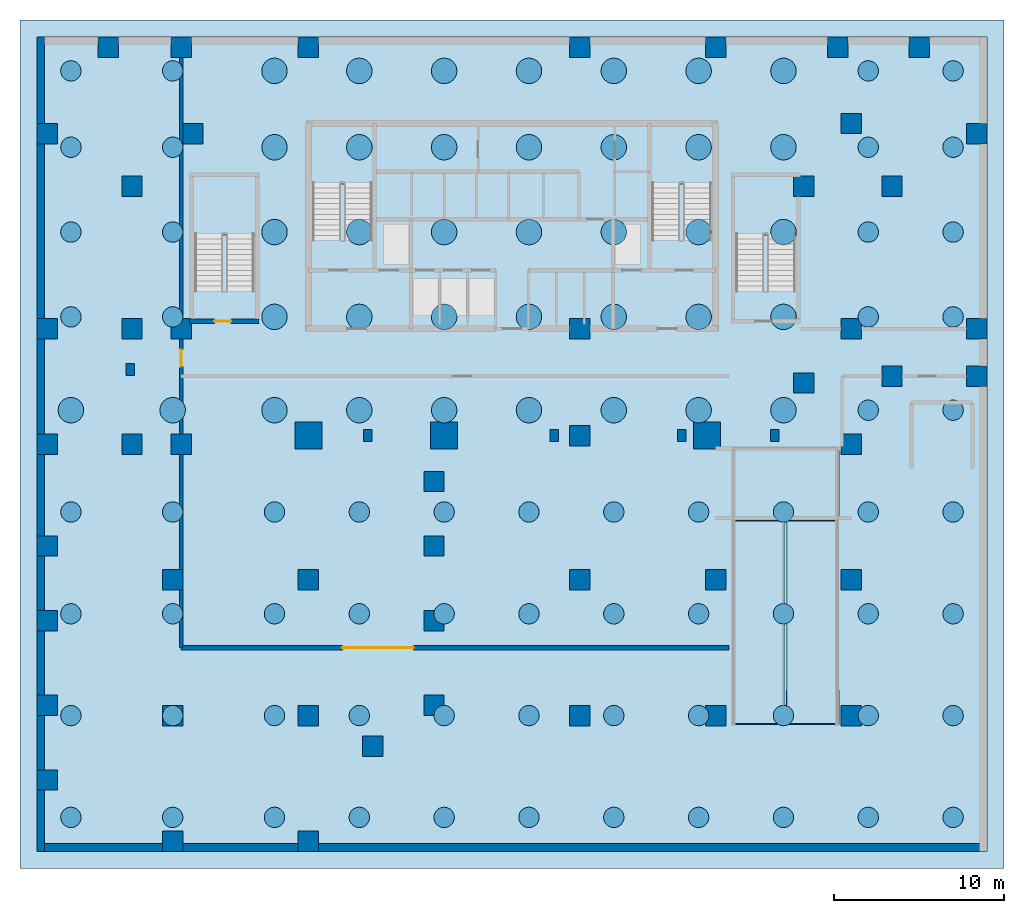
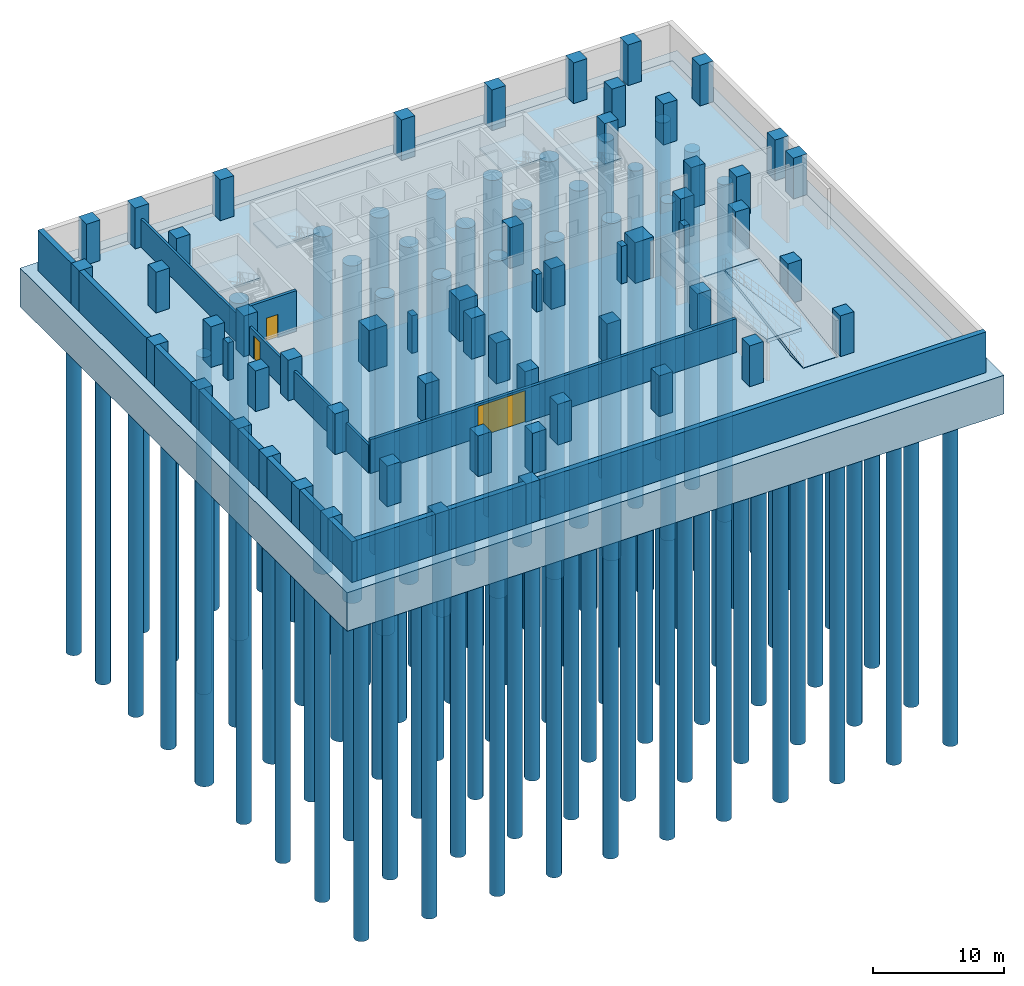
# One storey, part 1 of 6: 99 piles, 57 columns, 8 slabs, 5 walls, 3 doors, 1 footing, 3 openings, 4 elements without a shape of their own.
"""IFC4 building model written with IfcOpenShell, lengths in metres."""

from ifc_helpers import new_model, si_unit, direction, frame, frame_2d, origin, origin_2d, place, context, subcontext, project, spatial, polyline, rectangle, circle, outline, extrude, material, layer, layer_set, material_profile, profile_set, type_object, element, fill, aggregate, save


model = new_model("IFC4")

# Units and contexts
model_context = context("Model", 3, precision=1e-05, world=origin(), true_north=direction((0.0, 1.0)))
body_context = subcontext(model_context, "Body", "Model", "MODEL_VIEW")
ifc_project = project(units=[si_unit("LENGTHUNIT", "METRE"), si_unit("AREAUNIT", "SQUARE_METRE"), si_unit("VOLUMEUNIT", "CUBIC_METRE"), si_unit("PLANEANGLEUNIT", "RADIAN"), si_unit("MASSUNIT", "GRAM", prefix="KILO")], contexts=[model_context])

# Site, building, storey
site_placement = place(None, origin())
site = spatial("IfcSite", under=ifc_project, at=site_placement, CompositionType="ELEMENT")
building_placement = place(site_placement, origin())
building = spatial("IfcBuilding", under=site, at=building_placement, Name="Catumbela Crestline Tower", CompositionType="ELEMENT")
storey_placement = place(building_placement, frame((0.0, 0.0, -13.2)))
storey = spatial("IfcBuildingStorey", under=building, at=storey_placement, Name="B03", CompositionType="ELEMENT", Elevation=-13.2)

# Footing
ifc_material_1 = material(Name="Concrete C50/60", Category="concrete")
ifc_layer_1 = layer(ifc_material_1, 3.6, Name="Concrete C50/60")
ifc_layer_set_1 = layer_set([ifc_layer_1], Name="Concrete C50/60")
footing_type = type_object("IfcFootingType", Name="FT-R1", PredefinedType="CAISSON_FOUNDATION", material=ifc_layer_set_1)
footing_placement = place(storey_placement, frame((0.0, 0.0, -3.6)))
element("IfcFooting", 1, at=footing_placement, inside=storey, type_object=footing_type, Name="Main Tower Piled Foundation Raft FT-R1", PredefinedType="CAISSON_FOUNDATION", context=body_context, shape_type="SweptSolid", body=[
    extrude(outline(polyline([(-1.0, -1.0), (57.0, -1.0), (57.0, 49.0), (-1.0, 49.0), (-1.0, -1.0)])), origin(), (0.0, 0.0, 1.0), 3.6),
])

# Piles
ifc_material_2 = material(Name="Concrete C40/50", Category="concrete")
ifc_material_profile_1 = material_profile(ifc_material_2, circle(Radius=0.6, at=origin_2d()), Name="PILE D1200")
ifc_profile_set_1 = profile_set([ifc_material_profile_1], Name="Concrete C40/50")
pile_type_1 = type_object("IfcPileType", Name="PL-1200", PredefinedType="BORED", material=ifc_profile_set_1)
for number, where, z_axis, x_axis, name in (
    (2, (2.0, 2.0, -3.5), (0.0, 0.0, -1.0), (1.0, 0.0, 0.0), "Bored Pile PILE-001"),
    (3, (2.0, 8.0, -3.5), (0.0, 0.0, -1.0), (1.0, 0.0, 0.0), "Bored Pile PILE-002"),
    (4, (2.0, 14.0, -3.5), (0.0, 0.0, -1.0), (1.0, 0.0, 0.0), "Bored Pile PILE-003"),
    (5, (2.0, 20.0, -3.5), (0.0, 0.0, -1.0), (1.0, 0.0, 0.0), "Bored Pile PILE-004"),
    (6, (2.0, 31.5, -3.5), (0.0, 0.0, -1.0), (1.0, 0.0, 0.0), "Bored Pile PILE-006"),
    (7, (2.0, 36.5, -3.5), (0.0, 0.0, -1.0), (1.0, 0.0, 0.0), "Bored Pile PILE-007"),
    (8, (2.0, 41.5, -3.5), (0.0, 0.0, -1.0), (1.0, 0.0, 0.0), "Bored Pile PILE-008"),
    (9, (2.0, 46.0, -3.5), (0.0, 0.0, -1.0), (1.0, 0.0, 0.0), "Bored Pile PILE-009"),
    (10, (8.0, 2.0, -3.5), (0.0, 0.0, -1.0), (1.0, 0.0, 0.0), "Bored Pile PILE-010"),
    (11, (8.0, 8.0, -3.5), (0.0, 0.0, -1.0), (1.0, 0.0, 0.0), "Bored Pile PILE-011"),
    (12, (8.0, 14.0, -3.5), (0.0, 0.0, -1.0), (1.0, 0.0, 0.0), "Bored Pile PILE-012"),
    (13, (8.0, 20.0, -3.5), (0.0, 0.0, -1.0), (1.0, 0.0, 0.0), "Bored Pile PILE-013"),
    (14, (8.0, 31.5, -3.5), (0.0, 0.0, -1.0), (1.0, 0.0, 0.0), "Bored Pile PILE-015"),
    (15, (8.0, 36.5, -3.5), (0.0, 0.0, -1.0), (1.0, 0.0, 0.0), "Bored Pile PILE-016"),
    (16, (8.0, 41.5, -3.5), (0.0, 0.0, -1.0), (1.0, 0.0, 0.0), "Bored Pile PILE-017"),
    (17, (8.0, 46.0, -3.5), (0.0, 0.0, -1.0), (1.0, 0.0, 0.0), "Bored Pile PILE-018"),
    (18, (14.0, 2.0, -3.5), (0.0, 0.0, -1.0), (1.0, 0.0, 0.0), "Bored Pile PILE-019"),
    (19, (14.0, 8.0, -3.5), (0.0, 0.0, -1.0), (1.0, 0.0, 0.0), "Bored Pile PILE-020"),
    (20, (14.0, 14.0, -3.5), (0.0, 0.0, -1.0), (1.0, 0.0, 0.0), "Bored Pile PILE-021"),
    (21, (14.0, 20.0, -3.5), (0.0, 0.0, -1.0), (1.0, 0.0, 0.0), "Bored Pile PILE-022"),
    (22, (19.0, 2.0, -3.5), (0.0, 0.0, -1.0), (1.0, 0.0, 0.0), "Bored Pile PILE-028"),
    (23, (19.0, 8.0, -3.5), (0.0, 0.0, -1.0), (1.0, 0.0, 0.0), "Bored Pile PILE-029"),
    (24, (19.0, 14.0, -3.5), (0.0, 0.0, -1.0), (1.0, 0.0, 0.0), "Bored Pile PILE-030"),
    (25, (19.0, 20.0, -3.5), (0.0, 0.0, -1.0), (1.0, 0.0, 0.0), "Bored Pile PILE-031"),
    (26, (24.0, 2.0, -3.5), (0.0, 0.0, -1.0), (1.0, 0.0, 0.0), "Bored Pile PILE-037"),
    (27, (24.0, 8.0, -3.5), (0.0, 0.0, -1.0), (1.0, 0.0, 0.0), "Bored Pile PILE-038"),
    (28, (24.0, 14.0, -3.5), (0.0, 0.0, -1.0), (1.0, 0.0, 0.0), "Bored Pile PILE-039"),
    (29, (24.0, 20.0, -3.5), (0.0, 0.0, -1.0), (1.0, 0.0, 0.0), "Bored Pile PILE-040"),
    (30, (29.0, 2.0, -3.5), (0.0, 0.0, -1.0), (1.0, 0.0, 0.0), "Bored Pile PILE-046"),
    (31, (29.0, 8.0, -3.5), (0.0, 0.0, -1.0), (1.0, 0.0, 0.0), "Bored Pile PILE-047"),
    (32, (29.0, 14.0, -3.5), (0.0, 0.0, -1.0), (1.0, 0.0, 0.0), "Bored Pile PILE-048"),
    (33, (29.0, 20.0, -3.5), (0.0, 0.0, -1.0), (1.0, 0.0, 0.0), "Bored Pile PILE-049"),
    (34, (34.0, 2.0, -3.5), (0.0, 0.0, -1.0), (1.0, 0.0, 0.0), "Bored Pile PILE-055"),
    (35, (34.0, 8.0, -3.5), (0.0, 0.0, -1.0), (1.0, 0.0, 0.0), "Bored Pile PILE-056"),
    (36, (34.0, 14.0, -3.5), (0.0, 0.0, -1.0), (1.0, 0.0, 0.0), "Bored Pile PILE-057"),
    (37, (34.0, 20.0, -3.5), (0.0, 0.0, -1.0), (1.0, 0.0, 0.0), "Bored Pile PILE-058"),
    (38, (39.0, 2.0, -3.5), (0.0, 0.0, -1.0), (1.0, 0.0, 0.0), "Bored Pile PILE-064"),
    (39, (39.0, 8.0, -3.5), (0.0, 0.0, -1.0), (1.0, 0.0, 0.0), "Bored Pile PILE-065"),
    (40, (39.0, 14.0, -3.5), (0.0, 0.0, -1.0), (1.0, 0.0, 0.0), "Bored Pile PILE-066"),
    (41, (39.0, 20.0, -3.5), (0.0, 0.0, -1.0), (1.0, 0.0, 0.0), "Bored Pile PILE-067"),
    (42, (44.0, 2.0, -3.5), (0.0, 0.0, -1.0), (1.0, 0.0, 0.0), "Bored Pile PILE-073"),
    (43, (44.0, 8.0, -3.5), (0.0, 0.0, -1.0), (1.0, 0.0, 0.0), "Bored Pile PILE-074"),
    (44, (44.0, 14.0, -3.5), (0.0, 0.0, -1.0), (1.0, 0.0, 0.0), "Bored Pile PILE-075"),
    (45, (44.0, 20.0, -3.5), (0.0, 0.0, -1.0), (1.0, 0.0, 0.0), "Bored Pile PILE-076"),
    (46, (49.0, 2.0, -3.5), (0.0, 0.0, -1.0), (1.0, 0.0, 0.0), "Bored Pile PILE-082"),
    (47, (49.0, 8.0, -3.5), (0.0, 0.0, -1.0), (1.0, 0.0, 0.0), "Bored Pile PILE-083"),
    (48, (49.0, 14.0, -3.5), (0.0, 0.0, -1.0), (1.0, 0.0, 0.0), "Bored Pile PILE-084"),
    (49, (49.0, 20.0, -3.5), (0.0, 0.0, -1.0), (1.0, 0.0, 0.0), "Bored Pile PILE-085"),
    (50, (49.0, 26.0, -3.5), (0.0, 0.0, -1.0), (1.0, 0.0, 0.0), "Bored Pile PILE-086"),
    (51, (49.0, 31.5, -3.5), (0.0, 0.0, -1.0), (1.0, 0.0, 0.0), "Bored Pile PILE-087"),
    (52, (49.0, 36.5, -3.5), (0.0, 0.0, -1.0), (1.0, 0.0, 0.0), "Bored Pile PILE-088"),
    (53, (49.0, 41.5, -3.5), (0.0, 0.0, -1.0), (1.0, 0.0, 0.0), "Bored Pile PILE-089"),
    (54, (49.0, 46.0, -3.5), (0.0, 0.0, -1.0), (1.0, 0.0, 0.0), "Bored Pile PILE-090"),
    (55, (54.0, 2.0, -3.5), (0.0, 0.0, -1.0), (1.0, 0.0, 0.0), "Bored Pile PILE-091"),
    (56, (54.0, 8.0, -3.5), (0.0, 0.0, -1.0), (1.0, 0.0, 0.0), "Bored Pile PILE-092"),
    (57, (54.0, 14.0, -3.5), (0.0, 0.0, -1.0), (1.0, 0.0, 0.0), "Bored Pile PILE-093"),
    (58, (54.0, 20.0, -3.5), (0.0, 0.0, -1.0), (1.0, 0.0, 0.0), "Bored Pile PILE-094"),
    (59, (54.0, 26.0, -3.5), (0.0, 0.0, -1.0), (1.0, 0.0, 0.0), "Bored Pile PILE-095"),
    (60, (54.0, 31.5, -3.5), (0.0, 0.0, -1.0), (1.0, 0.0, 0.0), "Bored Pile PILE-096"),
    (61, (54.0, 36.5, -3.5), (0.0, 0.0, -1.0), (1.0, 0.0, 0.0), "Bored Pile PILE-097"),
    (62, (54.0, 41.5, -3.5), (0.0, 0.0, -1.0), (1.0, 0.0, 0.0), "Bored Pile PILE-098"),
    (63, (54.0, 46.0, -3.5), (0.0, 0.0, -1.0), (1.0, 0.0, 0.0), "Bored Pile PILE-099"),
):
    element("IfcPile", number, at=place(storey_placement, frame(where, z_axis=z_axis, x_axis=x_axis)), inside=storey, type_object=pile_type_1, Name=name, PredefinedType="BORED", context=body_context, shape_type="SweptSolid", body=[
        extrude(circle(Radius=0.6, at=origin_2d()), origin(), (0.0, 0.0, 1.0), 31.5),
    ])
ifc_material_profile_2 = material_profile(ifc_material_2, circle(Radius=0.75, at=origin_2d()), Name="PILE D1500")
ifc_profile_set_2 = profile_set([ifc_material_profile_2], Name="Concrete C40/50")
pile_type_2 = type_object("IfcPileType", Name="PL-1500", PredefinedType="BORED", material=ifc_profile_set_2)
for number, where, z_axis, x_axis, name in (
    (64, (2.0, 26.0, -3.5), (0.0, 0.0, -1.0), (1.0, 0.0, 0.0), "Bored Pile PILE-005"),
    (65, (8.0, 26.0, -3.5), (0.0, 0.0, -1.0), (1.0, 0.0, 0.0), "Bored Pile PILE-014"),
    (66, (14.0, 26.0, -3.5), (0.0, 0.0, -1.0), (1.0, 0.0, 0.0), "Bored Pile PILE-023"),
    (67, (14.0, 31.5, -3.5), (0.0, 0.0, -1.0), (1.0, 0.0, 0.0), "Bored Pile PILE-024"),
    (68, (14.0, 36.5, -3.5), (0.0, 0.0, -1.0), (1.0, 0.0, 0.0), "Bored Pile PILE-025"),
    (69, (14.0, 41.5, -3.5), (0.0, 0.0, -1.0), (1.0, 0.0, 0.0), "Bored Pile PILE-026"),
    (70, (14.0, 46.0, -3.5), (0.0, 0.0, -1.0), (1.0, 0.0, 0.0), "Bored Pile PILE-027"),
    (71, (19.0, 26.0, -3.5), (0.0, 0.0, -1.0), (1.0, 0.0, 0.0), "Bored Pile PILE-032"),
    (72, (19.0, 31.5, -3.5), (0.0, 0.0, -1.0), (1.0, 0.0, 0.0), "Bored Pile PILE-033"),
    (73, (19.0, 36.5, -3.5), (0.0, 0.0, -1.0), (1.0, 0.0, 0.0), "Bored Pile PILE-034"),
    (74, (19.0, 41.5, -3.5), (0.0, 0.0, -1.0), (1.0, 0.0, 0.0), "Bored Pile PILE-035"),
    (75, (19.0, 46.0, -3.5), (0.0, 0.0, -1.0), (1.0, 0.0, 0.0), "Bored Pile PILE-036"),
    (76, (24.0, 26.0, -3.5), (0.0, 0.0, -1.0), (1.0, 0.0, 0.0), "Bored Pile PILE-041"),
    (77, (24.0, 31.5, -3.5), (0.0, 0.0, -1.0), (1.0, 0.0, 0.0), "Bored Pile PILE-042"),
    (78, (24.0, 36.5, -3.5), (0.0, 0.0, -1.0), (1.0, 0.0, 0.0), "Bored Pile PILE-043"),
    (79, (24.0, 41.5, -3.5), (0.0, 0.0, -1.0), (1.0, 0.0, 0.0), "Bored Pile PILE-044"),
    (80, (24.0, 46.0, -3.5), (0.0, 0.0, -1.0), (1.0, 0.0, 0.0), "Bored Pile PILE-045"),
    (81, (29.0, 26.0, -3.5), (0.0, 0.0, -1.0), (1.0, 0.0, 0.0), "Bored Pile PILE-050"),
    (82, (29.0, 31.5, -3.5), (0.0, 0.0, -1.0), (1.0, 0.0, 0.0), "Bored Pile PILE-051"),
    (83, (29.0, 36.5, -3.5), (0.0, 0.0, -1.0), (1.0, 0.0, 0.0), "Bored Pile PILE-052"),
    (84, (29.0, 41.5, -3.5), (0.0, 0.0, -1.0), (1.0, 0.0, 0.0), "Bored Pile PILE-053"),
    (85, (29.0, 46.0, -3.5), (0.0, 0.0, -1.0), (1.0, 0.0, 0.0), "Bored Pile PILE-054"),
    (86, (34.0, 26.0, -3.5), (0.0, 0.0, -1.0), (1.0, 0.0, 0.0), "Bored Pile PILE-059"),
    (87, (34.0, 31.5, -3.5), (0.0, 0.0, -1.0), (1.0, 0.0, 0.0), "Bored Pile PILE-060"),
    (88, (34.0, 36.5, -3.5), (0.0, 0.0, -1.0), (1.0, 0.0, 0.0), "Bored Pile PILE-061"),
    (89, (34.0, 41.5, -3.5), (0.0, 0.0, -1.0), (1.0, 0.0, 0.0), "Bored Pile PILE-062"),
    (90, (34.0, 46.0, -3.5), (0.0, 0.0, -1.0), (1.0, 0.0, 0.0), "Bored Pile PILE-063"),
    (91, (39.0, 26.0, -3.5), (0.0, 0.0, -1.0), (1.0, 0.0, 0.0), "Bored Pile PILE-068"),
    (92, (39.0, 31.5, -3.5), (0.0, 0.0, -1.0), (1.0, 0.0, 0.0), "Bored Pile PILE-069"),
    (93, (39.0, 36.5, -3.5), (0.0, 0.0, -1.0), (1.0, 0.0, 0.0), "Bored Pile PILE-070"),
    (94, (39.0, 41.5, -3.5), (0.0, 0.0, -1.0), (1.0, 0.0, 0.0), "Bored Pile PILE-071"),
    (95, (39.0, 46.0, -3.5), (0.0, 0.0, -1.0), (1.0, 0.0, 0.0), "Bored Pile PILE-072"),
    (96, (44.0, 26.0, -3.5), (0.0, 0.0, -1.0), (1.0, 0.0, 0.0), "Bored Pile PILE-077"),
    (97, (44.0, 31.5, -3.5), (0.0, 0.0, -1.0), (1.0, 0.0, 0.0), "Bored Pile PILE-078"),
    (98, (44.0, 36.5, -3.5), (0.0, 0.0, -1.0), (1.0, 0.0, 0.0), "Bored Pile PILE-079"),
    (99, (44.0, 41.5, -3.5), (0.0, 0.0, -1.0), (1.0, 0.0, 0.0), "Bored Pile PILE-080"),
    (100, (44.0, 46.0, -3.5), (0.0, 0.0, -1.0), (1.0, 0.0, 0.0), "Bored Pile PILE-081"),
):
    element("IfcPile", number, at=place(storey_placement, frame(where, z_axis=z_axis, x_axis=x_axis)), inside=storey, type_object=pile_type_2, Name=name, PredefinedType="BORED", context=body_context, shape_type="SweptSolid", body=[
        extrude(circle(Radius=0.75, at=origin_2d()), origin(), (0.0, 0.0, 1.0), 31.5),
    ])

# Columns
ifc_material_profile_3 = material_profile(ifc_material_1, rectangle(XDim=0.5, YDim=0.7, at=origin_2d()), Name="RC 500x700")
ifc_profile_set_3 = profile_set([ifc_material_profile_3], Name="Concrete C50/60")
column_type_1 = type_object("IfcColumnType", Name="CP-500", PredefinedType="PILASTER", material=ifc_profile_set_3)
for number, where, z_axis, x_axis, name in (
    (101, (19.5, 24.5, 0.0), (0.0, 0.0, 1.0), (1.0, 0.0, 0.0), "B03 Galleria Architectural Pilaster 1"),
    (102, (30.5, 24.5, 0.0), (0.0, 0.0, 1.0), (1.0, 0.0, 0.0), "B03 Galleria Architectural Pilaster 2"),
    (103, (38.0, 24.5, 0.0), (0.0, 0.0, 1.0), (1.0, 0.0, 0.0), "B03 Galleria Architectural Pilaster 3"),
    (104, (43.5, 24.5, 0.0), (0.0, 0.0, 1.0), (1.0, 0.0, 0.0), "B03 Galleria Architectural Pilaster 4"),
    (105, (5.5, 28.4, 0.0), (0.0, 0.0, 1.0), (1.0, 0.0, 0.0), "B03 Galleria Architectural Pilaster 5"),
):
    element("IfcColumn", number, at=place(storey_placement, frame(where, z_axis=z_axis, x_axis=x_axis)), inside=storey, type_object=column_type_1, Name=name, PredefinedType="PILASTER", context=body_context, shape_type="SweptSolid", body=[
        extrude(rectangle(XDim=0.5, YDim=0.7, at=origin_2d()), origin(), (0.0, 0.0, 1.0), 3.5),
    ])
ifc_material_3 = material(Name="Concrete C60/75", Category="concrete")
ifc_material_profile_4 = material_profile(ifc_material_3, rectangle(XDim=1.2, YDim=1.2, at=origin_2d()), Name="RC 1200x1200")
ifc_profile_set_4 = profile_set([ifc_material_profile_4], Name="Concrete C60/75")
column_type_2 = type_object("IfcColumnType", Name="C-RC1200-C60", PredefinedType="COLUMN", material=ifc_profile_set_4)
for number, where, z_axis, x_axis, name in (
    (106, (8.5, 24.0, 0.0), (0.0, 0.0, 1.0), (1.0, 0.0, 0.0), "B03 Column C-08-24 (RC 1200x1200)"),
    (107, (32.0, 24.5, 0.0), (0.0, 0.0, 1.0), (1.0, 0.0, 0.0), "B03 Column C-32-24 (RC 1200x1200)"),
    (108, (5.6, 24.0, 0.0), (0.0, 0.0, 1.0), (1.0, 0.0, 0.0), "B03 Column C-05-24 (RC 1200x1200)"),
    (109, (5.6, 30.8, 0.0), (0.0, 0.0, 1.0), (1.0, 0.0, 0.0), "B03 Column C-05-31 (RC 1200x1200)"),
    (110, (5.6, 39.2, 0.0), (0.0, 0.0, 1.0), (1.0, 0.0, 0.0), "B03 Column C-05-43 (RC 1200x1200)"),
    (111, (8.5, 30.8, 0.0), (0.0, 0.0, 1.0), (1.0, 0.0, 0.0), "B03 Column C-08-31 (RC 1200x1200)"),
    (112, (9.2, 42.3, 0.0), (0.0, 0.0, 1.0), (1.0, 0.0, 0.0), "B03 Column C-08-43 (RC 1200x1200)"),
    (113, (45.2, 27.6, 0.0), (0.0, 0.0, 1.0), (1.0, 0.0, 0.0), "B03 Column C-46-24 (RC 1200x1200)"),
    (114, (45.2, 39.2, 0.0), (0.0, 0.0, 1.0), (1.0, 0.0, 0.0), "B03 Column C-46-43 (RC 1200x1200)"),
    (115, (0.6, 24.0, 0.0), (0.0, 0.0, 1.0), (1.0, 0.0, 0.0), "B03 Column C-00-24 (RC 1200x1200)"),
    (116, (0.6, 30.8, 0.0), (0.0, 0.0, 1.0), (1.0, 0.0, 0.0), "B03 Column C-00-31 (RC 1200x1200)"),
    (117, (0.6, 42.3, 0.0), (0.0, 0.0, 1.0), (1.0, 0.0, 0.0), "B03 Column C-00-43 (RC 1200x1200)"),
    (118, (4.2, 47.4, 0.0), (0.0, 0.0, 1.0), (1.0, 0.0, 0.0), "B03 Column C-00-48 (RC 1200x1200)"),
    (119, (8.5, 47.4, 0.0), (0.0, 0.0, 1.0), (1.0, 0.0, 0.0), "B03 Column C-08-48 (RC 1200x1200)"),
    (120, (16.0, 47.4, 0.0), (0.0, 0.0, 1.0), (1.0, 0.0, 0.0), "B03 Column C-16-48 (RC 1200x1200)"),
    (121, (32.0, 47.4, 0.0), (0.0, 0.0, 1.0), (1.0, 0.0, 0.0), "B03 Column C-32-48 (RC 1200x1200)"),
    (122, (40.0, 47.4, 0.0), (0.0, 0.0, 1.0), (1.0, 0.0, 0.0), "B03 Column C-40-48 (RC 1200x1200)"),
    (123, (47.2, 47.4, 0.0), (0.0, 0.0, 1.0), (1.0, 0.0, 0.0), "B03 Column C-48-48 (RC 1200x1200)"),
    (124, (50.4, 28.0, 0.0), (0.0, 0.0, 1.0), (1.0, 0.0, 0.0), "B03 Column C-51-24 (RC 1200x1200)"),
    (125, (50.4, 39.2, 0.0), (0.0, 0.0, 1.0), (1.0, 0.0, 0.0), "B03 Column C-51-43 (RC 1200x1200)"),
    (126, (55.4, 28.0, 0.0), (0.0, 0.0, 1.0), (1.0, 0.0, 0.0), "B03 Column C-56-24 (RC 1200x1200)"),
    (127, (55.4, 30.8, 0.0), (0.0, 0.0, 1.0), (1.0, 0.0, 0.0), "B03 Column C-56-31 (RC 1200x1200)"),
    (128, (55.4, 42.3, 0.0), (0.0, 0.0, 1.0), (1.0, 0.0, 0.0), "B03 Column C-56-43 (RC 1200x1200)"),
    (129, (52.0, 47.4, 0.0), (0.0, 0.0, 1.0), (1.0, 0.0, 0.0), "B03 Column C-56-48 (RC 1200x1200)"),
    (130, (0.6, 8.6, 0.0), (0.0, 0.0, 1.0), (1.0, 0.0, 0.0), "B03 Column C-00-05 (RC 1200x1200)"),
    (131, (0.6, 13.6, 0.0), (0.0, 0.0, 1.0), (1.0, 0.0, 0.0), "B03 Column C-00-10 (RC 1200x1200)"),
    (132, (0.6, 18.0, 0.0), (0.0, 0.0, 1.0), (1.0, 0.0, 0.0), "B03 Column C-00-16 (RC 1200x1200)"),
    (133, (0.6, 4.2, 0.0), (0.0, 0.0, 1.0), (1.0, 0.0, 0.0), "B03 Column C-00-03 (RC 1200x1200)"),
    (134, (8.0, 0.6, 0.0), (0.0, 0.0, 1.0), (1.0, 0.0, 0.0), "B03 Column C-08-00 (RC 1200x1200)"),
    (135, (16.0, 0.6, 0.0), (0.0, 0.0, 1.0), (1.0, 0.0, 0.0), "B03 Column C-16-00 (RC 1200x1200)"),
    (136, (19.8, 6.2, 0.0), (0.0, 0.0, 1.0), (1.0, 0.0, 0.0), "B03 Column C-24-05 (RC 1200x1200)"),
    (137, (23.4, 8.6, 0.0), (0.0, 0.0, 1.0), (1.0, 0.0, 0.0), "B03 Column C-23-08 (RC 1200x1200)"),
    (138, (23.4, 13.6, 0.0), (0.0, 0.0, 1.0), (1.0, 0.0, 0.0), "B03 Column C-24-10 (RC 1200x1200)"),
    (139, (23.4, 18.0, 0.0), (0.0, 0.0, 1.0), (1.0, 0.0, 0.0), "B03 Column C-24-16 (RC 1200x1200)"),
    (140, (23.4, 21.8, 0.0), (0.0, 0.0, 1.0), (1.0, 0.0, 0.0), "B03 Column C-24-21 (RC 1200x1200)"),
    (141, (8.0, 8.0, 0.0), (0.0, 0.0, 1.0), (1.0, 0.0, 0.0), "B03 Column C-08-08 (RC 1200x1200)"),
    (142, (16.0, 8.0, 0.0), (0.0, 0.0, 1.0), (1.0, 0.0, 0.0), "B03 Column C-16-08 (RC 1200x1200)"),
    (143, (32.0, 30.8, 0.0), (0.0, 0.0, 1.0), (1.0, 0.0, 0.0), "B03 Column C-32-31 (RC 1200x1200)"),
    (144, (32.0, 8.0, 0.0), (0.0, 0.0, 1.0), (1.0, 0.0, 0.0), "B03 Column C-32-08 (RC 1200x1200)"),
    (145, (40.0, 8.0, 0.0), (0.0, 0.0, 1.0), (1.0, 0.0, 0.0), "B03 Column C-40-08 (RC 1200x1200)"),
    (146, (48.0, 8.0, 0.0), (0.0, 0.0, 1.0), (1.0, 0.0, 0.0), "B03 Column C-48-08 (RC 1200x1200)"),
    (147, (8.0, 16.0, 0.0), (0.0, 0.0, 1.0), (1.0, 0.0, 0.0), "B03 Column C-08-16 (RC 1200x1200)"),
    (148, (16.0, 16.0, 0.0), (0.0, 0.0, 1.0), (1.0, 0.0, 0.0), "B03 Column C-16-16 (RC 1200x1200)"),
    (149, (32.0, 16.0, 0.0), (0.0, 0.0, 1.0), (1.0, 0.0, 0.0), "B03 Column C-32-16 (RC 1200x1200)"),
    (150, (40.0, 16.0, 0.0), (0.0, 0.0, 1.0), (1.0, 0.0, 0.0), "B03 Column C-40-16 (RC 1200x1200)"),
    (151, (48.0, 16.0, 0.0), (0.0, 0.0, 1.0), (1.0, 0.0, 0.0), "B03 Column C-48-16 (RC 1200x1200)"),
    (152, (48.0, 24.0, 0.0), (0.0, 0.0, 1.0), (1.0, 0.0, 0.0), "B03 Column C-48-24 (RC 1200x1200)"),
    (153, (48.0, 30.8, 0.0), (0.0, 0.0, 1.0), (1.0, 0.0, 0.0), "B03 Column C-48-31 (RC 1200x1200)"),
    (154, (48.0, 42.9, 0.0), (0.0, 0.0, 1.0), (1.0, 0.0, 0.0), "B03 Column C-48-43 (RC 1200x1200)"),
):
    element("IfcColumn", number, at=place(storey_placement, frame(where, z_axis=z_axis, x_axis=x_axis)), inside=storey, type_object=column_type_2, Name=name, PredefinedType="COLUMN", context=body_context, shape_type="SweptSolid", body=[
        extrude(rectangle(XDim=1.2, YDim=1.2, at=origin_2d()), origin(), (0.0, 0.0, 1.0), 3.8),
    ])
ifc_material_profile_5 = material_profile(ifc_material_3, rectangle(XDim=1.6, YDim=1.6, at=origin_2d()), Name="RC 1600x1600")
ifc_profile_set_5 = profile_set([ifc_material_profile_5], Name="Concrete C60/75")
column_type_3 = type_object("IfcColumnType", Name="C-RC1600-C60", PredefinedType="COLUMN", material=ifc_profile_set_5)
for number, where, z_axis, x_axis, name in (
    (155, (16.0, 24.5, 0.0), (0.0, 0.0, 1.0), (1.0, 0.0, 0.0), "B03 Column C-16-24 (RC 1600x1600)"),
    (156, (24.0, 24.5, 0.0), (0.0, 0.0, 1.0), (1.0, 0.0, 0.0), "B03 Column C-24-24 (RC 1600x1600)"),
    (157, (39.5, 24.5, 0.0), (0.0, 0.0, 1.0), (1.0, 0.0, 0.0), "B03 Column C-40-24 (RC 1600x1600)"),
):
    element("IfcColumn", number, at=place(storey_placement, frame(where, z_axis=z_axis, x_axis=x_axis)), inside=storey, type_object=column_type_3, Name=name, PredefinedType="COLUMN", context=body_context, shape_type="SweptSolid", body=[
        extrude(rectangle(XDim=1.6, YDim=1.6, at=origin_2d()), origin(), (0.0, 0.0, 1.0), 3.8),
    ])

# Slab
ifc_layer_2 = layer(ifc_material_1, 0.35, Name="Concrete C50/60")
ifc_layer_set_2 = layer_set([ifc_layer_2], Name="Concrete C50/60")
slab_type_1 = type_object("IfcSlabType", Name="SB-350", PredefinedType="BASESLAB", material=ifc_layer_set_2)
slab_1_placement = place(storey_placement, frame((0.0, 0.0, -0.35)))
element("IfcSlab", 158, at=slab_1_placement, inside=storey, type_object=slab_type_1, Name="B03 Structural Floor Slab", PredefinedType="BASESLAB", context=body_context, shape_type="SweptSolid", body=[
    extrude(outline(polyline([(0.0, 0.0), (56.0, 0.0), (56.0, 48.0), (0.0, 48.0), (0.0, 0.0)]), holes=[polyline([(44.18, 7.48), (47.26, 7.48), (47.26, 9.5), (44.18, 9.5), (44.18, 7.48)])]), origin(), (0.0, 0.0, 1.0), 0.35),
])

# Stair, slab
ifc_material_4 = material(Name="Concrete C45/55", Category="concrete")
stair_type = type_object("IfcStairType", Name="ST-DLG", PredefinedType="HALF_TURN_STAIR", material=ifc_material_4)
stair_1_placement = place(storey_placement, origin())
stair_1 = element("IfcStair", 159, at=stair_1_placement, inside=storey, type_object=stair_type, Name="B03 West Core Pressurised Exit Stair ST-01", PredefinedType="HALF_TURN_STAIR")
ifc_layer_3 = layer(ifc_material_4, 0.2, Name="Concrete C45/55")
ifc_layer_set_3 = layer_set([ifc_layer_3], Name="Concrete C45/55")
slab_type_2 = type_object("IfcSlabType", Name="SL-LND", PredefinedType="LANDING", material=ifc_layer_set_3)
slab_2_placement = place(storey_placement, frame((0.0, 0.0, 1.7)))
slab_2 = element("IfcSlab", 160, at=slab_2_placement, type_object=slab_type_2, Name="ST-01 landing 1", PredefinedType="LANDING", context=body_context, shape_type="SweptSolid", body=[
    extrude(outline(polyline([(19.91, 39.33), (19.91, 42.96), (16.09, 42.96), (16.09, 39.33), (19.91, 39.33)])), origin(), (0.0, 0.0, 1.0), 0.2),
])
aggregate(stair_1, [slab_2])

stair_2_placement = place(storey_placement, origin())
stair_2 = element("IfcStair", 161, at=stair_2_placement, inside=storey, type_object=stair_type, Name="B03 East Core Pressurised Exit Stair ST-02", PredefinedType="HALF_TURN_STAIR")
slab_3_placement = place(storey_placement, frame((0.0, 0.0, 1.7)))
slab_3 = element("IfcSlab", 162, at=slab_3_placement, type_object=slab_type_2, Name="ST-02 landing 1", PredefinedType="LANDING", context=body_context, shape_type="SweptSolid", body=[
    extrude(outline(polyline([(39.91, 39.33), (39.91, 42.96), (36.09, 42.96), (36.09, 39.33), (39.91, 39.33)])), origin(), (0.0, 0.0, 1.0), 0.2),
])
aggregate(stair_2, [slab_3])

stair_3_placement = place(storey_placement, origin())
stair_3 = element("IfcStair", 163, at=stair_3_placement, inside=storey, type_object=stair_type, Name="B03 South-West Podium Exit Stair ST-03", PredefinedType="HALF_TURN_STAIR")
slab_4_placement = place(storey_placement, frame((0.0, 0.0, 1.7)))
slab_4 = element("IfcSlab", 164, at=slab_4_placement, type_object=slab_type_2, Name="ST-03 landing 1", PredefinedType="LANDING", context=body_context, shape_type="SweptSolid", body=[
    extrude(outline(polyline([(12.96, 36.33), (12.96, 39.96), (9.14, 39.96), (9.14, 36.33), (12.96, 36.33)])), origin(), (0.0, 0.0, 1.0), 0.2),
])
aggregate(stair_3, [slab_4])

stair_4_placement = place(storey_placement, origin())
stair_4 = element("IfcStair", 165, at=stair_4_placement, inside=storey, type_object=stair_type, Name="B03 East Galleria Podium Exit Stair ST-04", PredefinedType="HALF_TURN_STAIR")
slab_5_placement = place(storey_placement, frame((0.0, 0.0, 1.7)))
slab_5 = element("IfcSlab", 166, at=slab_5_placement, type_object=slab_type_2, Name="ST-04 landing 1", PredefinedType="LANDING", context=body_context, shape_type="SweptSolid", body=[
    extrude(outline(polyline([(44.86, 36.33), (44.86, 39.96), (41.04, 39.96), (41.04, 36.33), (44.86, 36.33)])), origin(), (0.0, 0.0, 1.0), 0.2),
])
aggregate(stair_4, [slab_5])

# Slabs
ifc_layer_4 = layer(ifc_material_1, 0.35, Name="Concrete C50/60")
ifc_layer_set_4 = layer_set([ifc_layer_4], Name="Concrete C50/60")
slab_type_3 = type_object("IfcSlabType", Name="SL-RMP-350", PredefinedType="LANDING", material=ifc_layer_set_4)
slab_6_placement = place(storey_placement, frame((0.0, 0.0, 1.55)))
element("IfcSlab", 167, at=slab_6_placement, inside=storey, type_object=slab_type_3, Name="B03 Vehicle Ramp Mid-Landing Slab", PredefinedType="LANDING", context=body_context, shape_type="SweptSolid", body=[
    extrude(outline(polyline([(40.98, 19.52), (47.26, 19.52), (47.26, 23.84), (40.98, 23.84), (40.98, 19.52)])), origin(), (0.0, 0.0, 1.0), 0.35),
])
ifc_layer_5 = layer(ifc_material_2, 0.3, Name="Concrete C40/50")
ifc_layer_set_5 = layer_set([ifc_layer_5], Name="Concrete C40/50")
slab_type_4 = type_object("IfcSlabType", Name="SVR-300", PredefinedType="FLOOR", material=ifc_layer_set_5)
slab_7_placement = place(storey_placement, frame((44.2, 7.52, 0.0), z_axis=(0.0, -0.156895395456, 0.987615226131), x_axis=(1.0, 0.0, 0.0)))
element("IfcSlab", 168, at=slab_7_placement, inside=storey, type_object=slab_type_4, Name="B03 Sloped Structural Vehicle Ramp Lower Slab", PredefinedType="FLOOR", context=body_context, shape_type="SweptSolid", body=[
    extrude(outline(polyline([(0.0, 0.0), (3.039999999999999, 0.0), (3.039999999999999, 12.109979355886617), (0.0, 12.109979355886617), (0.0, 0.0)])), origin(), (0.0, 0.0, -1.0), 0.3),
])
slab_8_placement = place(storey_placement, frame((40.98, 7.52, 3.8), z_axis=(0.0, 0.156895395456, 0.987615226131), x_axis=(1.0, 0.0, 0.0)))
element("IfcSlab", 169, at=slab_8_placement, inside=storey, type_object=slab_type_4, Name="B03 Sloped Structural Vehicle Ramp Upper Slab", PredefinedType="FLOOR", context=body_context, shape_type="SweptSolid", body=[
    extrude(outline(polyline([(0.0, 0.0), (3.0600000000000023, 0.0), (3.0600000000000023, 12.109979355886617), (0.0, 12.109979355886617), (0.0, 0.0)])), origin(), (0.0, 0.0, -1.0), 0.3),
])

# Wall, opening, door
ifc_material_5 = material(Name="Acoustic gypsum and mineral-wool partition")
ifc_layer_6 = layer(ifc_material_5, 0.25, Name="Acoustic gypsum and mineral-wool partition")
ifc_layer_set_6 = layer_set([ifc_layer_6], Name="Acoustic gypsum and mineral-wool partition")
wall_type_1 = type_object("IfcWallType", Name="WB-250", PredefinedType="STANDARD", material=ifc_layer_set_6)
wall_1_placement = place(storey_placement, frame((8.5, 12.0, 0.0), z_axis=(0.0, 0.0, 1.0), x_axis=(1.0, 0.0, 0.0)))
wall_1 = element("IfcWall", 170, at=wall_1_placement, inside=storey, type_object=wall_type_1, Name="B03 Car Park Fire Compartment Wall", PredefinedType="STANDARD", context=body_context, shape_type="SweptSolid", body=[
    extrude(rectangle(XDim=32.3, YDim=0.25, at=frame_2d((16.15, 0.0))), origin(), (0.0, 0.0, 1.0), 3.15),
])
opening_1_placement = place(wall_1_placement, frame((9.5, 0.0, 0.0)))
opening_1 = element("IfcOpeningElement", 171, at=opening_1_placement, cuts=wall_1, Name="Opening DG-02", PredefinedType="OPENING", context=body_context, shape_type="SweptSolid", body=[
    extrude(rectangle(XDim=4.2, YDim=2.95, at=frame_2d((2.1, 1.475))), frame((0.0, 0.135, 0.0), z_axis=(0.0, -1.0, 0.0), x_axis=(1.0, 0.0, 0.0)), (0.0, 0.0, 1.0), 0.27),
])
ifc_material_6 = material(Name="Stainless steel EN 1.4401", Category="steel")
door_type_1 = type_object("IfcDoorType", Name="DG-4200", OperationType="NOTDEFINED", PredefinedType="GATE", material=ifc_material_6)
door_1_placement = place(opening_1_placement, origin())
door_1 = element("IfcDoor", 172, at=door_1_placement, inside=storey, type_object=door_type_1, Name="B03 Security Vehicle Gate 2", OperationType="ROLLINGUP", OverallHeight=2.95, OverallWidth=4.2, PredefinedType="GATE", context=body_context, shape_type="SweptSolid", body=[
    extrude(rectangle(XDim=4.2, YDim=2.95, at=frame_2d((2.1, 1.475))), frame((0.0, 0.025, 0.0), z_axis=(0.0, -1.0, 0.0), x_axis=(1.0, 0.0, 0.0)), (0.0, 0.0, 1.0), 0.05),
])
fill(opening_1, door_1)

ifc_layer_7 = layer(ifc_material_1, 0.25, Name="Concrete C50/60")
ifc_layer_set_7 = layer_set([ifc_layer_7], Name="Concrete C50/60")
wall_type_2 = type_object("IfcWallType", Name="CW-250D", PredefinedType="SHEAR", material=ifc_layer_set_7)
wall_2_placement = place(storey_placement, frame((9.0, 31.25, 0.0), z_axis=(0.0, 0.0, 1.0), x_axis=(1.0, 0.0, 0.0)))
wall_2 = element("IfcWall", 173, at=wall_2_placement, inside=storey, type_object=wall_type_2, Name="B03 Structural Core Shear Wall ST3S", PredefinedType="SHEAR", context=body_context, shape_type="SweptSolid", body=[
    extrude(rectangle(XDim=4.1, YDim=0.25, at=frame_2d((2.05, 0.0))), origin(), (0.0, 0.0, 1.0), 3.8),
])
opening_2_placement = place(wall_2_placement, frame((1.45, 0.0, 0.0)))
opening_2 = element("IfcOpeningElement", 174, at=opening_2_placement, cuts=wall_2, Name="Opening DF9-100", PredefinedType="OPENING", context=body_context, shape_type="SweptSolid", body=[
    extrude(rectangle(XDim=1.0, YDim=2.15, at=frame_2d((0.5, 1.075))), frame((0.0, 0.135, 0.0), z_axis=(0.0, -1.0, 0.0), x_axis=(1.0, 0.0, 0.0)), (0.0, 0.0, 1.0), 0.27),
])
door_type_2 = type_object("IfcDoorType", Name="DF9-100", OperationType="NOTDEFINED", PredefinedType="DOOR", material=ifc_material_6)
door_2_placement = place(opening_2_placement, origin())
door_2 = element("IfcDoor", 175, at=door_2_placement, inside=storey, type_object=door_type_2, Name="B03 Interior Door DR-B03-ST03", OperationType="SINGLE_SWING_LEFT", OverallHeight=2.15, OverallWidth=1.0, PredefinedType="DOOR", context=body_context, shape_type="SweptSolid", body=[
    extrude(rectangle(XDim=1.0, YDim=2.15, at=frame_2d((0.5, 1.075))), frame((0.0, 0.025, 0.0), z_axis=(0.0, -1.0, 0.0), x_axis=(1.0, 0.0, 0.0)), (0.0, 0.0, 1.0), 0.05),
])
fill(opening_2, door_2)

ifc_layer_8 = layer(ifc_material_5, 0.2, Name="Acoustic gypsum and mineral-wool partition")
ifc_layer_set_8 = layer_set([ifc_layer_8], Name="Acoustic gypsum and mineral-wool partition")
wall_type_3 = type_object("IfcWallType", Name="WC-200", PredefinedType="PARTITIONING", material=ifc_layer_set_8)
wall_3_placement = place(storey_placement, frame((8.5, 12.0, 0.0), z_axis=(0.0, 0.0, 1.0), x_axis=(0.0, 1.0, 0.0)))
wall_3 = element("IfcWall", 176, at=wall_3_placement, inside=storey, type_object=wall_type_3, Name="B03 Interior Partition PW-B03-CIS", PredefinedType="PARTITIONING", context=body_context, shape_type="SweptSolid", body=[
    extrude(rectangle(XDim=35.45, YDim=0.2, at=frame_2d((17.725, 0.0))), origin(), (0.0, 0.0, 1.0), 2.63),
])
opening_3_placement = place(wall_3_placement, frame((16.5737, 0.0, 0.0)))
opening_3 = element("IfcOpeningElement", 177, at=opening_3_placement, cuts=wall_3, Name="Opening DF9-100", PredefinedType="OPENING", context=body_context, shape_type="SweptSolid", body=[
    extrude(rectangle(XDim=1.0, YDim=2.15, at=frame_2d((0.5, 1.075))), frame((0.0, 0.11, 0.0), z_axis=(0.0, -1.0, 0.0), x_axis=(1.0, 0.0, 0.0)), (0.0, 0.0, 1.0), 0.22),
])
door_3_placement = place(opening_3_placement, origin())
door_3 = element("IfcDoor", 178, at=door_3_placement, inside=storey, type_object=door_type_2, Name="B03 Interior Door DR-B03-CIS", OperationType="SINGLE_SWING_LEFT", OverallHeight=2.15, OverallWidth=1.0, PredefinedType="DOOR", context=body_context, shape_type="SweptSolid", body=[
    extrude(rectangle(XDim=1.0, YDim=2.15, at=frame_2d((0.5, 1.075))), frame((0.0, 0.025, 0.0), z_axis=(0.0, -1.0, 0.0), x_axis=(1.0, 0.0, 0.0)), (0.0, 0.0, 1.0), 0.05),
])
fill(opening_3, door_3)

# Walls
ifc_layer_9 = layer(ifc_material_1, 0.45, Name="Concrete C50/60")
ifc_layer_set_9 = layer_set([ifc_layer_9], Name="Concrete C50/60")
wall_type_4 = type_object("IfcWallType", Name="RW-450", PredefinedType="USERDEFINED", material=ifc_layer_set_9)
wall_4_placement = place(storey_placement, frame((0.0, 0.225, 0.0), z_axis=(0.0, 0.0, 1.0), x_axis=(1.0, 0.0, 0.0)))
element("IfcWall", 179, at=wall_4_placement, inside=storey, type_object=wall_type_4, Name="B03 Perimeter Diaphragm Retaining Wall S", ObjectType="RETAINING", PredefinedType="USERDEFINED", context=body_context, shape_type="SweptSolid", body=[
    extrude(rectangle(XDim=56.0, YDim=0.45, at=frame_2d((28.0, 0.0))), origin(), (0.0, 0.0, 1.0), 3.8),
])
wall_5_placement = place(storey_placement, frame((0.225, 0.0, 0.0), z_axis=(0.0, 0.0, 1.0), x_axis=(0.0, 1.0, 0.0)))
element("IfcWall", 180, at=wall_5_placement, inside=storey, type_object=wall_type_4, Name="B03 Perimeter Diaphragm Retaining Wall W", ObjectType="RETAINING", PredefinedType="USERDEFINED", context=body_context, shape_type="SweptSolid", body=[
    extrude(rectangle(XDim=48.0, YDim=0.45, at=frame_2d((24.0, 0.0))), origin(), (0.0, 0.0, 1.0), 3.8),
])

save(model, "model.ifc")
